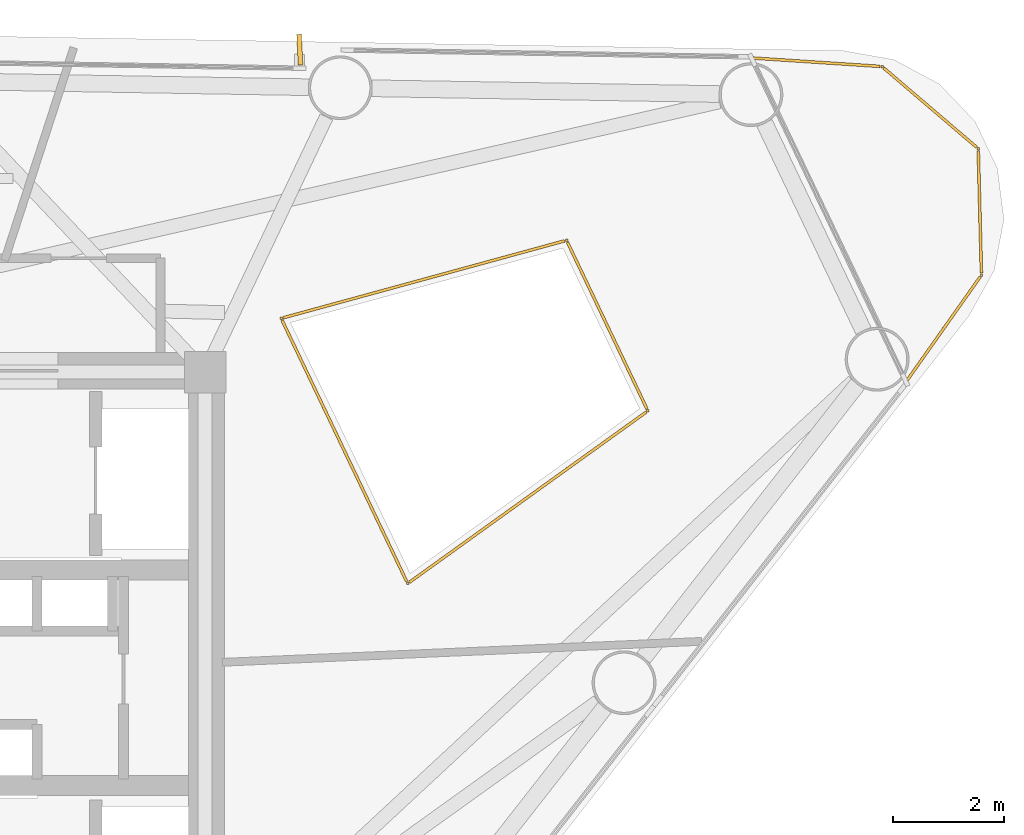
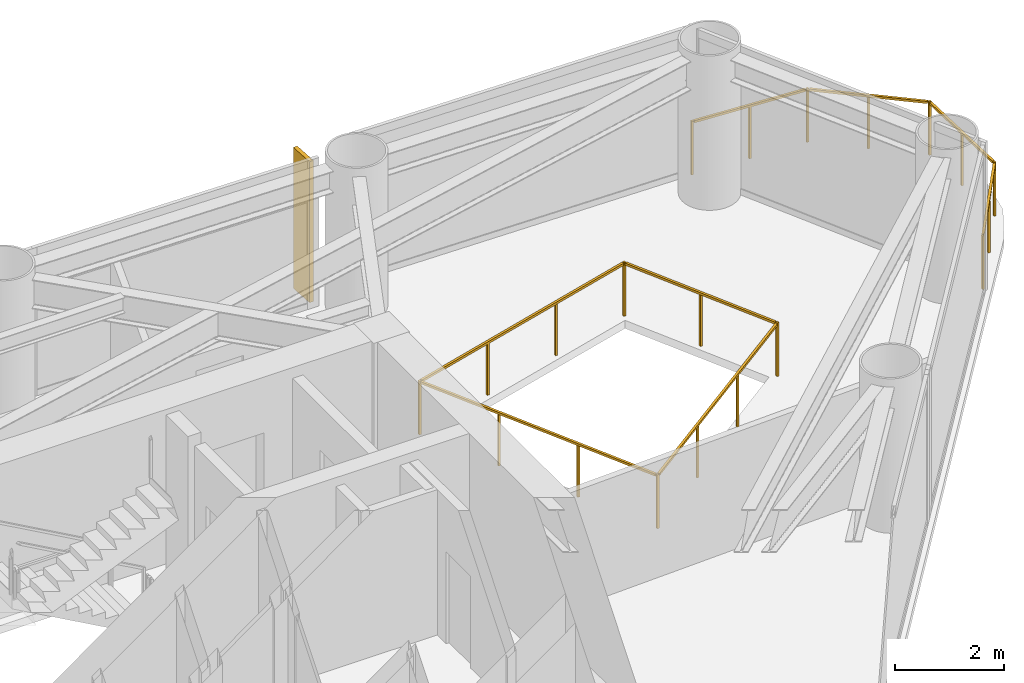
# One storey, part 9 of 9: 2 railings, 1 shading device.
"""IFC4 building model written with IfcOpenShell, lengths in metres."""

from ifc_helpers import new_model, si_unit, direction, frame, origin, origin_2d, place, context, subcontext, project, spatial, rectangle, extrude, source, transform, mapped, material, material_profile, profile_set, type_object, element, save


model = new_model("IFC4")

# Units and contexts
model_context = context("Model", 3, precision=1e-05, world=origin(), true_north=direction((0.0, 1.0)))
body_context = subcontext(model_context, "Body", "Model", "MODEL_VIEW")
ifc_project = project(units=[si_unit("LENGTHUNIT", "METRE"), si_unit("AREAUNIT", "SQUARE_METRE"), si_unit("VOLUMEUNIT", "CUBIC_METRE"), si_unit("PLANEANGLEUNIT", "RADIAN"), si_unit("MASSUNIT", "GRAM", prefix="KILO")], contexts=[model_context])

# Site, building, storey
site_placement = place(None, origin())
site = spatial("IfcSite", under=ifc_project, at=site_placement, CompositionType="ELEMENT")
building_placement = place(site_placement, origin())
building = spatial("IfcBuilding", under=site, at=building_placement, Name="Yunling Apex Tower", CompositionType="ELEMENT")
storey_placement = place(building_placement, frame((0.0, 0.0, 201.800048828125)))
storey = spatial("IfcBuildingStorey", under=building, at=storey_placement, Name="L49", CompositionType="ELEMENT", Elevation=201.800048828125)

# Railings
ifc_material = material(Name="Bronze anodised aluminium", Category="aluminium")
railing_type = type_object("IfcRailingType", Name="RL-BAL-1200", PredefinedType="BALUSTRADE", material=ifc_material)
railing_1_placement = place(storey_placement, frame((15.8828125, 11.15380859375, 0.0)))
element("IfcRailing", 1, at=railing_1_placement, inside=storey, type_object=railing_type, Name="RL-CRNSILL-L49-1", PredefinedType="BALUSTRADE", context=body_context, shape_type="SweptSolid", body=[
    extrude(rectangle(XDim=0.0439453125, YDim=0.0439453125, at=origin_2d()), origin(), (0.0, 0.0, 1.0), 1.199951171875),
    extrude(rectangle(XDim=0.0439453125, YDim=0.0439453125, at=origin_2d()), frame((2.349365234375, -0.154541015625, 0.0)), (0.0, 0.0, 1.0), 1.199951171875),
    extrude(rectangle(XDim=0.050048828125, YDim=0.050048828125, at=origin_2d()), frame((0.038330078125, -0.00244140625, 1.1748046875), z_axis=(0.997843498088, -0.065638047832, 0.0), x_axis=(0.065638047832, 0.997843498088, 0.0)), (0.0, 0.0, 1.0), 2.27783203125),
    extrude(rectangle(XDim=0.0439453125, YDim=0.0439453125, at=origin_2d()), frame((1.1748046875, -0.0771484375, 0.0)), (0.0, 0.0, 1.0), 1.14599609375),
    extrude(rectangle(XDim=0.0439453125, YDim=0.0439453125, at=origin_2d()), frame((4.080322265625, -1.6318359375, 0.0)), (0.0, 0.0, 1.0), 1.199951171875),
    extrude(rectangle(XDim=0.050048828125, YDim=0.050048828125, at=origin_2d()), frame((2.37841796875, -0.179443359375, 1.1748046875), z_axis=(0.760640732553, -0.6491730709, 0.0), x_axis=(0.6491730709, 0.760640732553, 0.0)), (0.0, 0.0, 1.0), 2.198974609375),
    extrude(rectangle(XDim=0.0439453125, YDim=0.0439453125, at=origin_2d()), frame((3.21484375, -0.89306640625, 0.0)), (0.0, 0.0, 1.0), 1.14599609375),
    extrude(rectangle(XDim=0.0439453125, YDim=0.0439453125, at=origin_2d()), frame((4.138916015625, -3.90673828125, 0.0)), (0.0, 0.0, 1.0), 1.199951171875),
    extrude(rectangle(XDim=0.050048828125, YDim=0.050048828125, at=origin_2d()), frame((4.081298828125, -1.670166015625, 1.1748046875), z_axis=(0.025748060881, -0.999668463722, 0.0), x_axis=(0.999668463722, 0.025748060881, 0.0)), (0.0, 0.0, 1.0), 2.198974609375),
    extrude(rectangle(XDim=0.0439453125, YDim=0.0439453125, at=origin_2d()), frame((4.109619140625, -2.769287109375, 0.0)), (0.0, 0.0, 1.0), 1.14599609375),
    extrude(rectangle(XDim=0.0439453125, YDim=0.0439453125, at=origin_2d()), frame((2.78076171875, -5.829833984375, 0.0)), (0.0, 0.0, 1.0), 1.199951171875),
    extrude(rectangle(XDim=0.050048828125, YDim=0.050048828125, at=origin_2d()), frame((4.11669921875, -3.93798828125, 1.1748046875), z_axis=(-0.57687453298, -0.81683276942, 0.0), x_axis=(0.81683276942, -0.57687453298, 0.0)), (0.0, 0.0, 1.0), 2.277587890625),
    extrude(rectangle(XDim=0.0439453125, YDim=0.0439453125, at=origin_2d()), frame((3.4599609375, -4.8681640625, 0.0)), (0.0, 0.0, 1.0), 1.14599609375),
])
railing_2_placement = place(storey_placement, frame((7.41845703125, 6.46728515625, 0.0)))
element("IfcRailing", 2, at=railing_2_placement, inside=storey, type_object=railing_type, Name="RL-TATR-L49", PredefinedType="BALUSTRADE", context=body_context, shape_type="SweptSolid", body=[
    extrude(rectangle(XDim=0.0439453125, YDim=0.0439453125, at=origin_2d()), origin(), (0.0, 0.0, 1.0), 1.199951171875),
    extrude(rectangle(XDim=0.0439453125, YDim=0.0439453125, at=origin_2d()), frame((5.135498046875, 1.404541015625, 0.0)), (0.0, 0.0, 1.0), 1.199951171875),
    extrude(rectangle(XDim=0.050048828125, YDim=0.050048828125, at=origin_2d()), frame((0.036865234375, 0.010009765625, 1.1748046875), z_axis=(0.964575212807, 0.263807996162, 0.0), x_axis=(-0.263807996162, 0.964575212807, 0.0)), (0.0, 0.0, 1.0), 5.24755859375),
    extrude(rectangle(XDim=0.0439453125, YDim=0.0439453125, at=origin_2d()), frame((1.7119140625, 0.46826171875, 0.0)), (0.0, 0.0, 1.0), 1.14599609375),
    extrude(rectangle(XDim=0.0439453125, YDim=0.0439453125, at=origin_2d()), frame((3.423583984375, 0.936279296875, 0.0)), (0.0, 0.0, 1.0), 1.14599609375),
    extrude(rectangle(XDim=0.0439453125, YDim=0.0439453125, at=origin_2d()), frame((6.599609375, -1.664794921875, 0.0)), (0.0, 0.0, 1.0), 1.199951171875),
    extrude(rectangle(XDim=0.050048828125, YDim=0.050048828125, at=origin_2d()), frame((5.152099609375, 1.369873046875, 1.1748046875), z_axis=(0.430538211034, -0.902572351028, 0.0), x_axis=(0.902572351028, 0.430538211034, 0.0)), (0.0, 0.0, 1.0), 3.323974609375),
    extrude(rectangle(XDim=0.0439453125, YDim=0.0439453125, at=origin_2d()), frame((5.86767578125, -0.130126953125, 0.0)), (0.0, 0.0, 1.0), 1.14599609375),
    extrude(rectangle(XDim=0.0439453125, YDim=0.0439453125, at=origin_2d()), frame((2.276123046875, -4.77197265625, 0.0)), (0.0, 0.0, 1.0), 1.199951171875),
    extrude(rectangle(XDim=0.050048828125, YDim=0.050048828125, at=origin_2d()), frame((6.568603515625, -1.687255859375, 1.1748046875), z_axis=(-0.812044572196, -0.583595418733, 0.0), x_axis=(0.583595418733, -0.812044572196, 0.0)), (0.0, 0.0, 1.0), 5.24755859375),
    extrude(rectangle(XDim=0.0439453125, YDim=0.0439453125, at=origin_2d()), frame((5.158447265625, -2.700439453125, 0.0)), (0.0, 0.0, 1.0), 1.14599609375),
    extrude(rectangle(XDim=0.0439453125, YDim=0.0439453125, at=origin_2d()), frame((3.71728515625, -3.736328125, 0.0)), (0.0, 0.0, 1.0), 1.14599609375),
    extrude(rectangle(XDim=0.050048828125, YDim=0.050048828125, at=origin_2d()), frame((2.259521484375, -4.7373046875, 1.1748046875), z_axis=(-0.430512460038, 0.902584634121, 0.0), x_axis=(-0.902584634121, -0.430512460038, 0.0)), (0.0, 0.0, 1.0), 5.21044921875),
    extrude(rectangle(XDim=0.0439453125, YDim=0.0439453125, at=origin_2d()), frame((1.517333984375, -3.181396484375, 0.0)), (0.0, 0.0, 1.0), 1.14599609375),
    extrude(rectangle(XDim=0.0439453125, YDim=0.0439453125, at=origin_2d()), frame((0.7587890625, -1.590576171875, 0.0)), (0.0, 0.0, 1.0), 1.14599609375),
])

# Shading device
ifc_material_profile = material_profile(ifc_material, rectangle(XDim=0.0849609375, YDim=0.550048828125, at=origin_2d()))
ifc_profile_set = profile_set([ifc_material_profile], Name="Bronze anodised aluminium")
shading_device_type = type_object("IfcShadingDeviceType", Name="FN-BRZ-3", PredefinedType="USERDEFINED", material=ifc_profile_set)
shared_shape = source(origin(), body_context, "Body", "SweptSolid", [
    extrude(rectangle(XDim=0.0849609375, YDim=0.550048828125, at=origin_2d()), origin(), (0.0, 0.0, 1.0), 3.14990234375),
])
shading_device_placement = place(storey_placement, frame((7.75341796875, 11.30517578125, 0.06005859375), z_axis=(0.0, 0.0, 1.0), x_axis=(-0.998814648022, -0.048675444496, 0.0)))
element("IfcShadingDevice", 3, at=shading_device_placement, inside=storey, type_object=shading_device_type, Name="CW-L49-F2-B2-FIN-01", ObjectType="FIN", PredefinedType="USERDEFINED", context=body_context, shape_type="MappedRepresentation", body=[
    mapped(shared_shape, transform((0.0, 0.0, 0.0), scale=1.0)),
])

save(model, "model.ifc")
